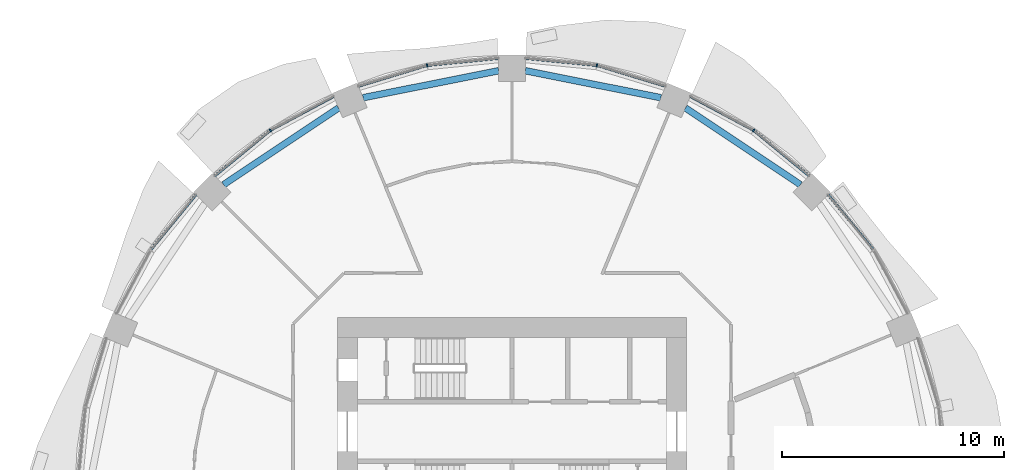
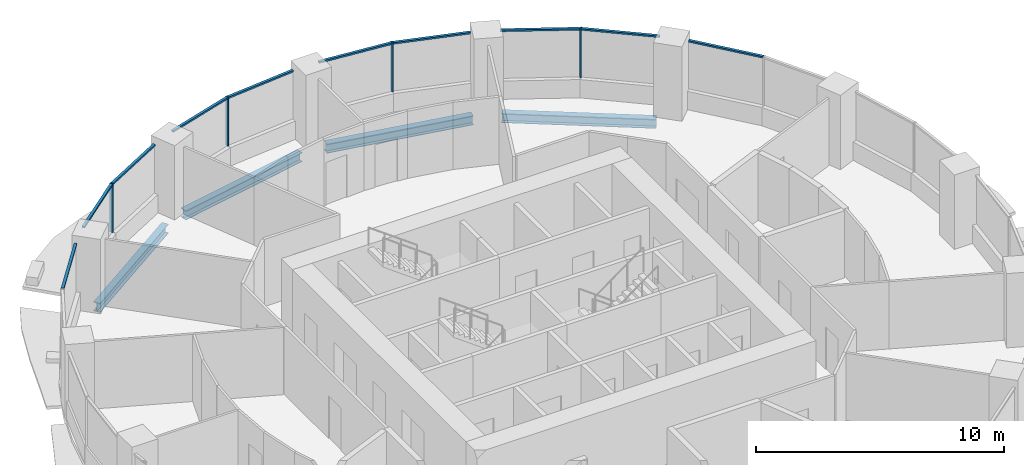
# One storey, part 6 of 15: 14 members, 4 beams, 6 elements without a shape of their own.
"""IFC4 building model written with IfcOpenShell, lengths in metres."""

from ifc_helpers import new_model, si_unit, direction, frame, origin, origin_2d, place, context, subcontext, project, spatial, rectangle, i_section, extrude, material, material_profile, profile_set, type_object, element, aggregate, save


model = new_model("IFC4")

# Units and contexts
model_context = context("Model", 3, precision=1e-05, world=origin(), true_north=direction((0.0, 1.0)))
body_context = subcontext(model_context, "Body", "Model", "MODEL_VIEW")
ifc_project = project(units=[si_unit("LENGTHUNIT", "METRE"), si_unit("AREAUNIT", "SQUARE_METRE"), si_unit("VOLUMEUNIT", "CUBIC_METRE"), si_unit("PLANEANGLEUNIT", "RADIAN"), si_unit("MASSUNIT", "GRAM", prefix="KILO")], contexts=[model_context])

# Site, building, storey
site_placement = place(None, origin())
site = spatial("IfcSite", under=ifc_project, at=site_placement, CompositionType="ELEMENT")
building_placement = place(site_placement, origin())
building = spatial("IfcBuilding", under=site, at=building_placement, Name="Polderwave Tower", CompositionType="ELEMENT")
storey_placement = place(building_placement, frame((0.0, 0.0, 37.14990234375)))
storey = spatial("IfcBuildingStorey", under=building, at=storey_placement, Name="L09", CompositionType="ELEMENT", Elevation=37.14990234375)

# Curtain wall, member
ifc_material_1 = material(Name="Aluminium 6063-T6 and glass", Category="aluminium")
curtain_wall_type = type_object("IfcCurtainWallType", Name="Growing floor ribbon glazing wall", PredefinedType="NOTDEFINED", material=ifc_material_1)
curtain_wall_1_placement = place(storey_placement, origin())
curtain_wall_1 = element("IfcCurtainWall", 1, at=curtain_wall_1_placement, inside=storey, type_object=curtain_wall_type, Name="CW2 L09 02", PredefinedType="NOTDEFINED")
ifc_material_2 = material(Name="Aluminium 6063-T6", Category="aluminium")
ifc_material_profile_1 = material_profile(ifc_material_2, rectangle(XDim=0.14990234375, YDim=0.06005859375, at=origin_2d()), Name="AL 60x150")
ifc_profile_set_1 = profile_set([ifc_material_profile_1], Name="Aluminium 6063-T6")
member_type_1 = type_object("IfcMemberType", Name="Growing floor ribbon glazing mullion 60x150", PredefinedType="MULLION", material=ifc_profile_set_1)
member_1_placement = place(storey_placement, frame((10.89501953125, 16.304931640625, 0.900146484375), z_axis=(0.0, 0.0, 1.0), x_axis=(-0.555571684207, -0.831468642648, 0.0)))
member_1 = element("IfcMember", 2, at=member_1_placement, type_object=member_type_1, Name="CW2 mullion 1", PredefinedType="MULLION", context=body_context, shape_type="SweptSolid", body=[
    extrude(rectangle(XDim=0.14990234375, YDim=0.06005859375, at=origin_2d()), origin(), (0.0, 0.0, 1.0), 2.39990234375),
])

curtain_wall_2_placement = place(storey_placement, origin())
curtain_wall_2 = element("IfcCurtainWall", 3, at=curtain_wall_2_placement, inside=storey, type_object=curtain_wall_type, Name="CW2 L09 03", PredefinedType="NOTDEFINED")
member_2_placement = place(storey_placement, frame((3.825927734375, 19.23291015625, 0.900146484375), z_axis=(0.0, 0.0, 1.0), x_axis=(-0.195177622698, -0.980767911179, 0.0)))
member_2 = element("IfcMember", 4, at=member_2_placement, type_object=member_type_1, Name="CW2 mullion 1", PredefinedType="MULLION", context=body_context, shape_type="SweptSolid", body=[
    extrude(rectangle(XDim=0.14990234375, YDim=0.06005859375, at=origin_2d()), origin(), (0.0, 0.0, 1.0), 2.39990234375),
])

curtain_wall_3_placement = place(storey_placement, origin())
curtain_wall_3 = element("IfcCurtainWall", 5, at=curtain_wall_3_placement, inside=storey, type_object=curtain_wall_type, Name="CW2 L09 04", PredefinedType="NOTDEFINED")
member_3_placement = place(storey_placement, frame((-3.825927734375, 19.23291015625, 0.900146484375), z_axis=(0.0, 0.0, 1.0), x_axis=(0.195177622698, -0.980767911179, 0.0)))
member_3 = element("IfcMember", 6, at=member_3_placement, type_object=member_type_1, Name="CW2 mullion 1", PredefinedType="MULLION", context=body_context, shape_type="SweptSolid", body=[
    extrude(rectangle(XDim=0.14990234375, YDim=0.06005859375, at=origin_2d()), origin(), (0.0, 0.0, 1.0), 2.39990234375),
])

curtain_wall_4_placement = place(storey_placement, origin())
curtain_wall_4 = element("IfcCurtainWall", 7, at=curtain_wall_4_placement, inside=storey, type_object=curtain_wall_type, Name="CW2 L09 05", PredefinedType="NOTDEFINED")
member_4_placement = place(storey_placement, frame((-10.89501953125, 16.304931640625, 0.900146484375), z_axis=(0.0, 0.0, 1.0), x_axis=(0.555571684207, -0.831468642648, 0.0)))
member_4 = element("IfcMember", 8, at=member_4_placement, type_object=member_type_1, Name="CW2 mullion 1", PredefinedType="MULLION", context=body_context, shape_type="SweptSolid", body=[
    extrude(rectangle(XDim=0.14990234375, YDim=0.06005859375, at=origin_2d()), origin(), (0.0, 0.0, 1.0), 2.39990234375),
])

curtain_wall_5_placement = place(storey_placement, origin())
curtain_wall_5 = element("IfcCurtainWall", 9, at=curtain_wall_5_placement, inside=storey, type_object=curtain_wall_type, Name="CW2 L09 01", PredefinedType="NOTDEFINED")
ifc_material_profile_2 = material_profile(ifc_material_2, rectangle(XDim=0.1201171875, YDim=0.080078125, at=origin_2d()), Name="AL 80x120")
ifc_profile_set_2 = profile_set([ifc_material_profile_2], Name="Aluminium 6063-T6")
member_type_2 = type_object("IfcMemberType", Name="Growing floor ribbon glazing transom 80x120", PredefinedType="USERDEFINED", material=ifc_profile_set_2)
member_5_placement = place(storey_placement, frame((16.285888671875, 10.918212890625, 3.260009765625), z_axis=(-0.634429639074, 0.772980616228, 0.0), x_axis=(-0.772980616228, -0.634429639074, 0.0)))
member_5 = element("IfcMember", 10, at=member_5_placement, type_object=member_type_2, Name="CW2 transom 2", ObjectType="TRANSOM", PredefinedType="USERDEFINED", context=body_context, shape_type="SweptSolid", body=[
    extrude(rectangle(XDim=0.1201171875, YDim=0.080078125, at=origin_2d()), origin(), (0.0, 0.0, 1.0), 3.21044921875),
])
aggregate(curtain_wall_5, [member_5])

# Member
member_6_placement = place(storey_placement, frame((13.39990234375, 14.2490234375, 3.260009765625), z_axis=(-0.772980616228, 0.634429639074, 0.0), x_axis=(-0.634429639074, -0.772980616228, 0.0)))
member_6 = element("IfcMember", 11, at=member_6_placement, type_object=member_type_2, Name="CW2 transom 1", ObjectType="TRANSOM", PredefinedType="USERDEFINED", context=body_context, shape_type="SweptSolid", body=[
    extrude(rectangle(XDim=0.1201171875, YDim=0.080078125, at=origin_2d()), origin(), (0.0, 0.0, 1.0), 3.21044921875),
])

member_7_placement = place(storey_placement, frame((10.868408203125, 16.319091796875, 3.260009765625), z_axis=(-0.881933848072, 0.471373193578, 0.0), x_axis=(-0.471373193578, -0.881933848072, 0.0)))
member_7 = element("IfcMember", 12, at=member_7_placement, type_object=member_type_2, Name="CW2 transom 2", ObjectType="TRANSOM", PredefinedType="USERDEFINED", context=body_context, shape_type="SweptSolid", body=[
    extrude(rectangle(XDim=0.1201171875, YDim=0.080078125, at=origin_2d()), origin(), (0.0, 0.0, 1.0), 3.211669921875),
])

aggregate(curtain_wall_1, [member_1, member_6, member_7])

member_8_placement = place(storey_placement, frame((6.927001953125, 18.2919921875, 3.260009765625), z_axis=(-0.956904728961, 0.290402031143, 0.0), x_axis=(-0.290402031143, -0.956904728961, 0.0)))
member_8 = element("IfcMember", 13, at=member_8_placement, type_object=member_type_2, Name="CW2 transom 1", ObjectType="TRANSOM", PredefinedType="USERDEFINED", context=body_context, shape_type="SweptSolid", body=[
    extrude(rectangle(XDim=0.1201171875, YDim=0.080078125, at=origin_2d()), origin(), (0.0, 0.0, 1.0), 3.210693359375),
])

member_9_placement = place(storey_placement, frame((3.796142578125, 19.23583984375, 3.260009765625), z_axis=(-0.99517249074, 0.098141294442, 0.0), x_axis=(-0.098141294442, -0.99517249074, 0.0)))
member_9 = element("IfcMember", 14, at=member_9_placement, type_object=member_type_2, Name="CW2 transom 2", ObjectType="TRANSOM", PredefinedType="USERDEFINED", context=body_context, shape_type="SweptSolid", body=[
    extrude(rectangle(XDim=0.1201171875, YDim=0.080078125, at=origin_2d()), origin(), (0.0, 0.0, 1.0), 3.211669921875),
])

aggregate(curtain_wall_2, [member_2, member_8, member_9])

member_10_placement = place(storey_placement, frame((-0.60009765625, 19.551025390625, 3.260009765625), z_axis=(-0.99517249074, -0.098141294442, 0.0), x_axis=(0.098141294442, -0.99517249074, 0.0)))
member_10 = element("IfcMember", 15, at=member_10_placement, type_object=member_type_2, Name="CW2 transom 1", ObjectType="TRANSOM", PredefinedType="USERDEFINED", context=body_context, shape_type="SweptSolid", body=[
    extrude(rectangle(XDim=0.1201171875, YDim=0.080078125, at=origin_2d()), origin(), (0.0, 0.0, 1.0), 3.211669921875),
])

member_11_placement = place(storey_placement, frame((-3.854736328125, 19.224365234375, 3.260009765625), z_axis=(-0.956904728961, -0.290402031143, 0.0), x_axis=(0.290402031143, -0.956904728961, 0.0)))
member_11 = element("IfcMember", 16, at=member_11_placement, type_object=member_type_2, Name="CW2 transom 2", ObjectType="TRANSOM", PredefinedType="USERDEFINED", context=body_context, shape_type="SweptSolid", body=[
    extrude(rectangle(XDim=0.1201171875, YDim=0.080078125, at=origin_2d()), origin(), (0.0, 0.0, 1.0), 3.210693359375),
])

aggregate(curtain_wall_3, [member_3, member_10, member_11])

member_12_placement = place(storey_placement, frame((-8.035888671875, 17.8330078125, 3.260009765625), z_axis=(-0.881933848072, -0.471373193578, 0.0), x_axis=(0.471373193578, -0.881933848072, 0.0)))
member_12 = element("IfcMember", 17, at=member_12_placement, type_object=member_type_2, Name="CW2 transom 1", ObjectType="TRANSOM", PredefinedType="USERDEFINED", context=body_context, shape_type="SweptSolid", body=[
    extrude(rectangle(XDim=0.1201171875, YDim=0.080078125, at=origin_2d()), origin(), (0.0, 0.0, 1.0), 3.211669921875),
])

member_13_placement = place(storey_placement, frame((-10.918212890625, 16.285888671875, 3.260009765625), z_axis=(-0.772980616228, -0.634429639074, 0.0), x_axis=(0.634429639074, -0.772980616228, 0.0)))
member_13 = element("IfcMember", 18, at=member_13_placement, type_object=member_type_2, Name="CW2 transom 2", ObjectType="TRANSOM", PredefinedType="USERDEFINED", context=body_context, shape_type="SweptSolid", body=[
    extrude(rectangle(XDim=0.1201171875, YDim=0.080078125, at=origin_2d()), origin(), (0.0, 0.0, 1.0), 3.21044921875),
])

aggregate(curtain_wall_4, [member_4, member_12, member_13])

# Curtain wall, member
curtain_wall_6_placement = place(storey_placement, origin())
curtain_wall_6 = element("IfcCurtainWall", 19, at=curtain_wall_6_placement, inside=storey, type_object=curtain_wall_type, Name="CW2 L09 06", PredefinedType="NOTDEFINED")
member_14_placement = place(storey_placement, frame((-14.2490234375, 13.39990234375, 3.260009765625), z_axis=(-0.634429639074, -0.772980616228, 0.0), x_axis=(0.772980616228, -0.634429639074, 0.0)))
member_14 = element("IfcMember", 20, at=member_14_placement, type_object=member_type_2, Name="CW2 transom 1", ObjectType="TRANSOM", PredefinedType="USERDEFINED", context=body_context, shape_type="SweptSolid", body=[
    extrude(rectangle(XDim=0.1201171875, YDim=0.080078125, at=origin_2d()), origin(), (0.0, 0.0, 1.0), 3.21044921875),
])
aggregate(curtain_wall_6, [member_14])

# Beams
ifc_material_3 = material(Name="Steel S355", Category="steel")
ifc_material_profile_3 = material_profile(ifc_material_3, i_section(OverallWidth=0.300048828125, OverallDepth=0.449951171875, WebThickness=0.013916015625, FlangeThickness=0.02587890625, at=origin_2d()), Name="HE 450 B")
ifc_profile_set_3 = profile_set([ifc_material_profile_3], Name="Steel S355")
beam_type = type_object("IfcBeamType", Name="RING BEAM HE 450 B", PredefinedType="BEAM", material=ifc_profile_set_3)
beam_1_placement = place(storey_placement, frame((13.004150390625, 13.852783203125, -0.574951171875), z_axis=(-0.831477355721, 0.555558644, 0.0), x_axis=(-0.555558644, -0.831477355721, 0.0)))
element("IfcBeam", 21, at=beam_1_placement, inside=storey, type_object=beam_type, Name="ST-RB-L09-02", PredefinedType="BEAM", context=body_context, shape_type="SweptSolid", body=[
    extrude(i_section(OverallWidth=0.300048828125, OverallDepth=0.449951171875, WebThickness=0.013916015625, FlangeThickness=0.02587890625, at=origin_2d()), origin(), (0.0, 0.0, 1.0), 6.232666015625),
])
for number, where, z_axis, x_axis, name in (
    (22, (6.713134765625, 17.774658203125, -0.574951171875), (-0.980782033233, 0.195106645934, 0.0), (-0.195106645934, -0.980782033233, 0.0), "ST-RB-L09-03"),
    (23, (-0.60009765625, 18.99072265625, -0.574951171875), (-0.980782033233, -0.195106645934, 0.0), (0.195106645934, -0.980782033233, 0.0), "ST-RB-L09-04"),
):
    element("IfcBeam", number, at=place(storey_placement, frame(where, z_axis=z_axis, x_axis=x_axis)), inside=storey, type_object=beam_type, Name=name, PredefinedType="BEAM", context=body_context, shape_type="SweptSolid", body=[
        extrude(i_section(OverallWidth=0.300048828125, OverallDepth=0.449951171875, WebThickness=0.013916015625, FlangeThickness=0.02587890625, at=origin_2d()), origin(), (0.0, 0.0, 1.0), 6.23291015625),
    ])
beam_2_placement = place(storey_placement, frame((-7.82177734375, 17.3154296875, -0.574951171875), z_axis=(-0.831477355721, -0.555558644, 0.0), x_axis=(0.555558644, -0.831477355721, 0.0)))
element("IfcBeam", 24, at=beam_2_placement, inside=storey, type_object=beam_type, Name="ST-RB-L09-05", PredefinedType="BEAM", context=body_context, shape_type="SweptSolid", body=[
    extrude(i_section(OverallWidth=0.300048828125, OverallDepth=0.449951171875, WebThickness=0.013916015625, FlangeThickness=0.02587890625, at=origin_2d()), origin(), (0.0, 0.0, 1.0), 6.232666015625),
])

save(model, "model.ifc")
